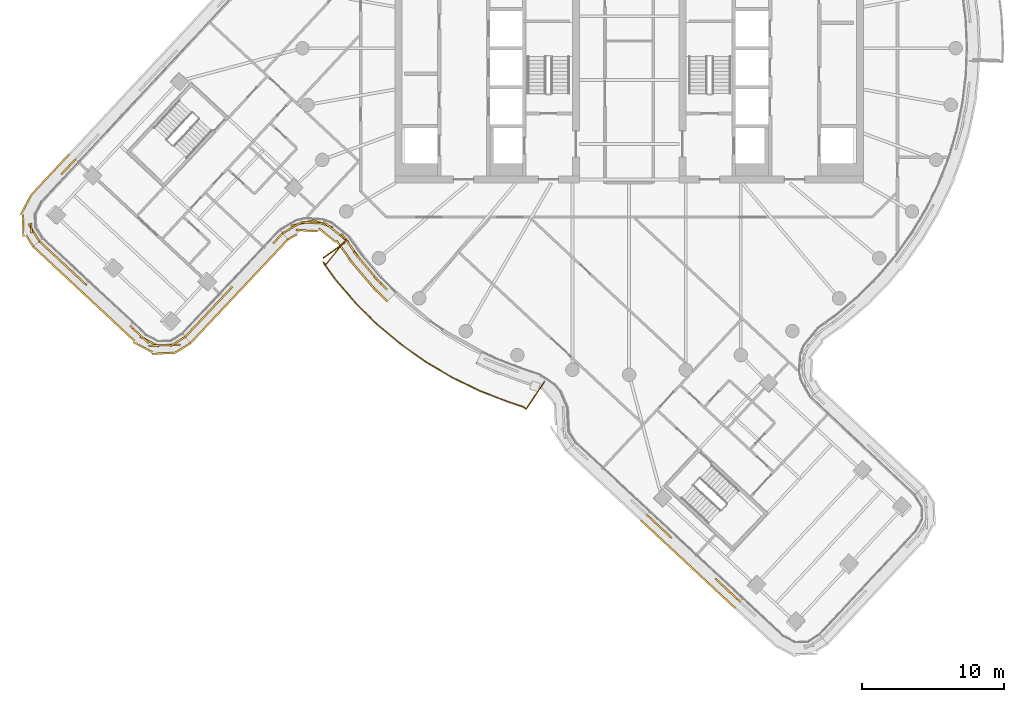
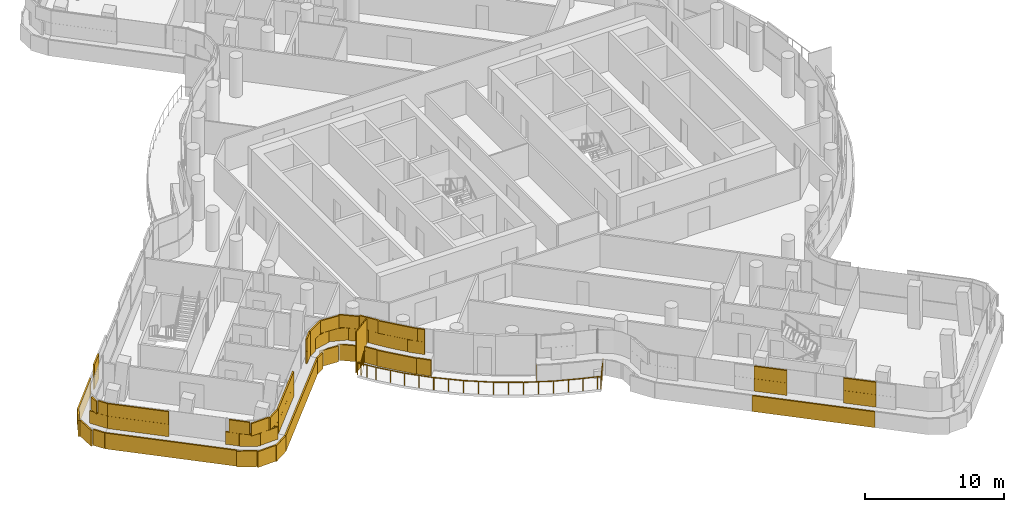
# One storey, part 23 of 30: 5 coverings, 1 railing, 1 shading device.
"""IFC4 building model written with IfcOpenShell, lengths in metres."""

from ifc_helpers import new_model, si_unit, direction, frame, origin, origin_2d, place, context, subcontext, project, spatial, rectangle, circle, extrude, material, layer, layer_set, type_object, element, save


model = new_model("IFC4")

# Units and contexts
model_context = context("Model", 3, precision=1e-05, world=origin(), true_north=direction((0.0, 1.0)))
body_context = subcontext(model_context, "Body", "Model", "MODEL_VIEW")
ifc_project = project(units=[si_unit("LENGTHUNIT", "METRE"), si_unit("AREAUNIT", "SQUARE_METRE"), si_unit("VOLUMEUNIT", "CUBIC_METRE"), si_unit("PLANEANGLEUNIT", "RADIAN"), si_unit("MASSUNIT", "GRAM", prefix="KILO")], contexts=[model_context])

# Site, building, storey
site_placement = place(None, origin())
site = spatial("IfcSite", under=ifc_project, at=site_placement, CompositionType="ELEMENT")
building_placement = place(site_placement, origin())
building = spatial("IfcBuilding", under=site, at=building_placement, Name="Tamarind Cross Interchange Tower", CompositionType="ELEMENT")
storey_placement = place(building_placement, frame((0.0, 0.0, 204.10009765625)))
storey = spatial("IfcBuildingStorey", under=building, at=storey_placement, Name="L51", CompositionType="ELEMENT", Elevation=204.10009765625)

# Railing
ifc_material_1 = material(Name="Stainless steel and laminated glass", Category="steel")
railing_type = type_object("IfcRailingType", Name="Balcony guard", PredefinedType="BALUSTRADE", material=ifc_material_1)
railing_placement = place(storey_placement, frame((-19.89599609375, -13.42431640625, 0.0)))
element("IfcRailing", 1, at=railing_placement, inside=storey, type_object=railing_type, Name="Balcony guard 02", PredefinedType="BALUSTRADE", context=body_context, shape_type="SweptSolid", body=[
    extrude(circle(Radius=0.02490234375, at=origin_2d()), frame((0.0, 0.0, 1.0751953125), z_axis=(-0.630822358792, -0.775927285026, 0.0), x_axis=(0.775927285026, -0.630822358792, 0.0)), (0.0, 0.0, 1.0), 2.320068359375),
    extrude(circle(Radius=0.02490234375, at=origin_2d()), frame((-1.463623046875, -1.80029296875, 1.0751953125), z_axis=(-0.775822381085, 0.630951371349, 0.0), x_axis=(-0.630951371349, -0.775822381085, 0.0)), (0.0, 0.0, 1.0), 0.256103515625),
    extrude(circle(Radius=0.02490234375, at=origin_2d()), frame((-1.662353515625, -1.638671875, 1.0751953125), z_axis=(0.585253979479, -0.810850035151, 0.0), x_axis=(0.810850035151, 0.585253979479, 0.0)), (0.0, 0.0, 1.0), 1.4697265625),
    extrude(circle(Radius=0.02490234375, at=origin_2d()), frame((-0.80224609375, -2.830322265625, 1.0751953125), z_axis=(0.649579168669, -0.760293958697, 0.0), x_axis=(0.760293958697, 0.649579168669, 0.0)), (0.0, 0.0, 1.0), 2.17431640625),
    extrude(circle(Radius=0.02490234375, at=origin_2d()), frame((0.610107421875, -4.4833984375, 1.0751953125), z_axis=(0.710130717242, -0.704069857635, 0.0), x_axis=(0.704069857635, 0.710130717242, 0.0)), (0.0, 0.0, 1.0), 2.17529296875),
    extrude(circle(Radius=0.02490234375, at=origin_2d()), frame((2.15478515625, -6.014892578125, 1.0751953125), z_axis=(0.765879503455, -0.642984125922, 0.0), x_axis=(0.642984125922, 0.765879503455, 0.0)), (0.0, 0.0, 1.0), 2.17529296875),
    extrude(circle(Radius=0.02490234375, at=origin_2d()), frame((3.82080078125, -7.41357421875, 1.0751953125), z_axis=(0.81632657602, -0.577590617379, 0.0), x_axis=(0.577590617379, 0.81632657602, 0.0)), (0.0, 0.0, 1.0), 2.175048828125),
    extrude(circle(Radius=0.02490234375, at=origin_2d()), frame((5.596435546875, -8.669921875, 1.0751953125), z_axis=(0.861223570169, -0.508226290333, 0.0), x_axis=(0.508226290333, 0.861223570169, 0.0)), (0.0, 0.0, 1.0), 2.175048828125),
    extrude(circle(Radius=0.02490234375, at=origin_2d()), frame((7.4697265625, -9.775390625, 1.0751953125), z_axis=(0.90029690694, -0.435276325285, 0.0), x_axis=(0.435276325285, 0.90029690694, 0.0)), (0.0, 0.0, 1.0), 2.175048828125),
    extrude(circle(Radius=0.02490234375, at=origin_2d()), frame((9.427978515625, -10.72216796875, 1.0751953125), z_axis=(0.933138887512, -0.359516086723, 0.0), x_axis=(0.359516086723, 0.933138887512, 0.0)), (0.0, 0.0, 1.0), 2.13232421875),
    extrude(circle(Radius=0.02490234375, at=origin_2d()), frame((11.417724609375, -11.48876953125, 1.0751953125), z_axis=(0.948591250985, -0.316503773365, 0.0), x_axis=(0.316503773365, 0.948591250985, 0.0)), (0.0, 0.0, 1.0), 1.061279296875),
    extrude(circle(Radius=0.02490234375, at=origin_2d()), frame((12.424560546875, -11.82470703125, 1.0751953125), z_axis=(0.834178606953, -0.551494380481, 0.0), x_axis=(0.551494380481, 0.834178606953, 0.0)), (0.0, 0.0, 1.0), 0.281494140625),
    extrude(circle(Radius=0.02490234375, at=origin_2d()), frame((12.659423828125, -11.97998046875, 1.0751953125), z_axis=(0.551636564718, 0.834084588316, 0.0), x_axis=(-0.834084588316, 0.551636564718, 0.0)), (0.0, 0.0, 1.0), 2.320068359375),
    extrude(circle(Radius=0.02001953125, at=origin_2d()), origin(), (0.0, 0.0, 1.0), 1.050048828125),
    extrude(circle(Radius=0.02001953125, at=origin_2d()), frame((-0.73193359375, -0.900146484375, 0.0)), (0.0, 0.0, 1.0), 1.050048828125),
    extrude(circle(Radius=0.02001953125, at=origin_2d()), frame((-1.463623046875, -1.80029296875, 0.0)), (0.0, 0.0, 1.0), 1.050048828125),
    extrude(circle(Radius=0.02001953125, at=origin_2d()), frame((-1.662353515625, -1.638671875, 0.0)), (0.0, 0.0, 1.0), 1.050048828125),
    extrude(circle(Radius=0.02001953125, at=origin_2d()), frame((-1.232421875, -2.234375, 0.0)), (0.0, 0.0, 1.0), 1.050048828125),
    extrude(circle(Radius=0.02001953125, at=origin_2d()), frame((-0.80224609375, -2.830322265625, 0.0)), (0.0, 0.0, 1.0), 1.050048828125),
    extrude(circle(Radius=0.02001953125, at=origin_2d()), frame((-0.09619140625, -3.65673828125, 0.0)), (0.0, 0.0, 1.0), 1.050048828125),
    extrude(circle(Radius=0.02001953125, at=origin_2d()), frame((0.610107421875, -4.4833984375, 0.0)), (0.0, 0.0, 1.0), 1.050048828125),
    extrude(circle(Radius=0.02001953125, at=origin_2d()), frame((1.38232421875, -5.2490234375, 0.0)), (0.0, 0.0, 1.0), 1.050048828125),
    extrude(circle(Radius=0.02001953125, at=origin_2d()), frame((2.15478515625, -6.014892578125, 0.0)), (0.0, 0.0, 1.0), 1.050048828125),
    extrude(circle(Radius=0.02001953125, at=origin_2d()), frame((2.98779296875, -6.71435546875, 0.0)), (0.0, 0.0, 1.0), 1.050048828125),
    extrude(circle(Radius=0.02001953125, at=origin_2d()), frame((3.82080078125, -7.41357421875, 0.0)), (0.0, 0.0, 1.0), 1.050048828125),
    extrude(circle(Radius=0.02001953125, at=origin_2d()), frame((4.70849609375, -8.041748046875, 0.0)), (0.0, 0.0, 1.0), 1.050048828125),
    extrude(circle(Radius=0.02001953125, at=origin_2d()), frame((5.596435546875, -8.669921875, 0.0)), (0.0, 0.0, 1.0), 1.050048828125),
    extrude(circle(Radius=0.02001953125, at=origin_2d()), frame((6.533203125, -9.22265625, 0.0)), (0.0, 0.0, 1.0), 1.050048828125),
    extrude(circle(Radius=0.02001953125, at=origin_2d()), frame((7.4697265625, -9.775390625, 0.0)), (0.0, 0.0, 1.0), 1.050048828125),
    extrude(circle(Radius=0.02001953125, at=origin_2d()), frame((8.44873046875, -10.248779296875, 0.0)), (0.0, 0.0, 1.0), 1.050048828125),
    extrude(circle(Radius=0.02001953125, at=origin_2d()), frame((9.427978515625, -10.72216796875, 0.0)), (0.0, 0.0, 1.0), 1.050048828125),
    extrude(circle(Radius=0.02001953125, at=origin_2d()), frame((10.4228515625, -11.10546875, 0.0)), (0.0, 0.0, 1.0), 1.050048828125),
    extrude(circle(Radius=0.02001953125, at=origin_2d()), frame((11.417724609375, -11.48876953125, 0.0)), (0.0, 0.0, 1.0), 1.050048828125),
    extrude(circle(Radius=0.02001953125, at=origin_2d()), frame((12.424560546875, -11.82470703125, 0.0)), (0.0, 0.0, 1.0), 1.050048828125),
    extrude(circle(Radius=0.02001953125, at=origin_2d()), frame((12.659423828125, -11.97998046875, 0.0)), (0.0, 0.0, 1.0), 1.050048828125),
    extrude(circle(Radius=0.02001953125, at=origin_2d()), frame((13.29931640625, -11.012451171875, 0.0)), (0.0, 0.0, 1.0), 1.050048828125),
    extrude(circle(Radius=0.02001953125, at=origin_2d()), frame((13.939208984375, -10.044921875, 0.0)), (0.0, 0.0, 1.0), 1.050048828125),
])

# Shading device
ifc_material_2 = material(Name="Bronze-finish aluminium louvre", Category="aluminium")
ifc_layer_1 = layer(ifc_material_2, 0.080078125)
ifc_layer_set_1 = layer_set([ifc_layer_1], Name="Bronze-finish aluminium louvre")
shading_device_type = type_object("IfcShadingDeviceType", Name="Operable louvre bay", PredefinedType="JALOUSIE", material=ifc_layer_set_1)
shading_device_placement = place(storey_placement, origin())
element("IfcShadingDevice", 2, at=shading_device_placement, inside=storey, type_object=shading_device_type, Name="LVR-L51-BAL02", PredefinedType="JALOUSIE", context=body_context, shape_type="SweptSolid", body=[
    extrude(rectangle(XDim=1.89990234375, YDim=0.080078125, at=origin_2d()), frame((-20.777587890625, -14.23095703125, -0.000244140625), z_axis=(0.0, 0.0, 1.0), x_axis=(-0.8108888363, -0.585200218014, 0.0)), (0.0, 0.0, 1.0), 3.60009765625),
])

# Coverings
ifc_material_3 = material(Name="Terracotta", Category="masonry")
ifc_layer_2 = layer(ifc_material_3, 0.1201171875)
ifc_layer_set_2 = layer_set([ifc_layer_2], Name="Terracotta")
covering_type = type_object("IfcCoveringType", Name="Terracotta baguette screen unit", PredefinedType="MOLDING", material=ifc_layer_set_2)
covering_1_placement = place(storey_placement, origin())
element("IfcCovering", 3, at=covering_1_placement, inside=storey, type_object=covering_type, Name="SCR-L51-00-00", PredefinedType="MOLDING", context=body_context, shape_type="SweptSolid", body=[
    extrude(rectangle(XDim=0.760009765625, YDim=0.1201171875, at=origin_2d()), frame((-41.2490234375, -13.8525390625, 1.40380859375), z_axis=(0.0, 0.0, 1.0), x_axis=(0.73154412297, -0.681794100992, 0.0)), (0.0, 0.0, 1.0), 1.092041015625),
    extrude(rectangle(XDim=1.52001953125, YDim=0.1201171875, at=origin_2d()), frame((-40.426025390625, -14.61962890625, 1.40380859375), z_axis=(0.0, 0.0, 1.0), x_axis=(0.73154412297, -0.681794100992, 0.0)), (0.0, 0.0, 1.0), 1.092041015625),
    extrude(rectangle(XDim=1.52001953125, YDim=0.1201171875, at=origin_2d()), frame((-39.32861328125, -15.642333984375, 1.40380859375), z_axis=(0.0, 0.0, 1.0), x_axis=(0.73154412297, -0.681794100992, 0.0)), (0.0, 0.0, 1.0), 1.092041015625),
    extrude(rectangle(XDim=0.78466796875, YDim=0.1201171875, at=origin_2d()), frame((-38.49658203125, -16.417724609375, 1.40380859375), z_axis=(0.0, 0.0, 1.0), x_axis=(0.73154412297, -0.681794100992, 0.0)), (0.0, 0.0, 1.0), 1.092041015625),
    extrude(rectangle(XDim=1.03515625, YDim=0.1201171875, at=origin_2d()), frame((-34.765869140625, -19.89501953125, 1.40380859375), z_axis=(0.0, 0.0, 1.0), x_axis=(0.73154412297, -0.681794100992, 0.0)), (0.0, 0.0, 1.0), 1.092041015625),
    extrude(rectangle(XDim=1.52001953125, YDim=0.1201171875, at=origin_2d()), frame((-33.77001953125, -20.654541015625, 1.40380859375), z_axis=(0.0, 0.0, 1.0), x_axis=(0.883078659622, -0.469224979002, 0.0)), (0.0, 0.0, 1.0), 1.092041015625),
    extrude(rectangle(XDim=1.52001953125, YDim=0.1201171875, at=origin_2d()), frame((-32.340087890625, -20.90185546875, 1.40380859375), z_axis=(0.0, 0.0, 1.0), x_axis=(0.999381042274, 0.035178577905, 0.0)), (0.0, 0.0, 1.0), 1.092041015625),
    extrude(rectangle(XDim=0.509521484375, YDim=0.1201171875, at=origin_2d()), frame((-31.46533203125, -20.460205078125, 1.40380859375), z_axis=(0.0, 0.0, 1.0), x_axis=(0.847900081717, 0.530156063272, 0.0)), (0.0, 0.0, 1.0), 1.092041015625),
    extrude(rectangle(XDim=1.510009765625, YDim=0.1201171875, at=origin_2d()), frame((-40.974609375, -14.1083984375, 2.50390625), z_axis=(0.0, 0.0, 1.0), x_axis=(0.73154412297, -0.681794100992, 0.0)), (0.0, 0.0, 1.0), 1.092041015625),
    extrude(rectangle(XDim=1.52001953125, YDim=0.1201171875, at=origin_2d()), frame((-39.87744140625, -15.131103515625, 2.50390625), z_axis=(0.0, 0.0, 1.0), x_axis=(0.73154412297, -0.681794100992, 0.0)), (0.0, 0.0, 1.0), 1.092041015625),
    extrude(rectangle(XDim=1.52001953125, YDim=0.1201171875, at=origin_2d()), frame((-38.780029296875, -16.15380859375, 2.50390625), z_axis=(0.0, 0.0, 1.0), x_axis=(0.73154412297, -0.681794100992, 0.0)), (0.0, 0.0, 1.0), 1.092041015625),
    extrude(rectangle(XDim=1.52001953125, YDim=0.1201171875, at=origin_2d()), frame((-34.390869140625, -20.244384765625, 2.50390625), z_axis=(0.0, 0.0, 1.0), x_axis=(0.73154412297, -0.681794100992, 0.0)), (0.0, 0.0, 1.0), 1.092041015625),
    extrude(rectangle(XDim=1.52001953125, YDim=0.1201171875, at=origin_2d()), frame((-33.089599609375, -20.92822265625, 2.50390625), z_axis=(0.0, 0.0, 1.0), x_axis=(0.999381042274, 0.035178577905, 0.0)), (0.0, 0.0, 1.0), 1.092041015625),
    extrude(rectangle(XDim=1.259521484375, YDim=0.1201171875, at=origin_2d()), frame((-31.783203125, -20.658935546875, 2.50390625), z_axis=(0.0, 0.0, 1.0), x_axis=(0.847900081717, 0.530156063272, 0.0)), (0.0, 0.0, 1.0), 1.092041015625),
    extrude(rectangle(XDim=0.760009765625, YDim=0.1201171875, at=origin_2d()), frame((-41.69189453125, -14.224365234375, 0.00390625), z_axis=(0.0, 0.0, 1.0), x_axis=(0.73154412297, -0.681794100992, 0.0)), (0.0, 0.0, 1.0), 1.39208984375),
    extrude(rectangle(XDim=1.52001953125, YDim=0.1201171875, at=origin_2d()), frame((-40.87255859375, -14.988037109375, 0.00390625), z_axis=(0.0, 0.0, 1.0), x_axis=(0.73154412297, -0.681794100992, 0.0)), (0.0, 0.0, 1.0), 1.39208984375),
    extrude(rectangle(XDim=1.52001953125, YDim=0.1201171875, at=origin_2d()), frame((-39.775390625, -16.0107421875, 0.00390625), z_axis=(0.0, 0.0, 1.0), x_axis=(0.73154412297, -0.681794100992, 0.0)), (0.0, 0.0, 1.0), 1.39208984375),
    extrude(rectangle(XDim=1.52001953125, YDim=0.1201171875, at=origin_2d()), frame((-38.677978515625, -17.033447265625, 0.00390625), z_axis=(0.0, 0.0, 1.0), x_axis=(0.73154412297, -0.681794100992, 0.0)), (0.0, 0.0, 1.0), 1.39208984375),
    extrude(rectangle(XDim=1.52001953125, YDim=0.1201171875, at=origin_2d()), frame((-37.580810546875, -18.05615234375, 0.00390625), z_axis=(0.0, 0.0, 1.0), x_axis=(0.73154412297, -0.681794100992, 0.0)), (0.0, 0.0, 1.0), 1.39208984375),
    extrude(rectangle(XDim=1.52001953125, YDim=0.1201171875, at=origin_2d()), frame((-36.4833984375, -19.078857421875, 0.00390625), z_axis=(0.0, 0.0, 1.0), x_axis=(0.73154412297, -0.681794100992, 0.0)), (0.0, 0.0, 1.0), 1.39208984375),
    extrude(rectangle(XDim=1.52001953125, YDim=0.1201171875, at=origin_2d()), frame((-35.385986328125, -20.1015625, 0.00390625), z_axis=(0.0, 0.0, 1.0), x_axis=(0.73154412297, -0.681794100992, 0.0)), (0.0, 0.0, 1.0), 1.39208984375),
    extrude(rectangle(XDim=1.52001953125, YDim=0.1201171875, at=origin_2d()), frame((-34.239501953125, -21.05517578125, 0.00390625), z_axis=(0.0, 0.0, 1.0), x_axis=(0.883078659622, -0.469224979002, 0.0)), (0.0, 0.0, 1.0), 1.39208984375),
    extrude(rectangle(XDim=1.52001953125, YDim=0.1201171875, at=origin_2d()), frame((-32.853759765625, -21.494384765625, 0.00390625), z_axis=(0.0, 0.0, 1.0), x_axis=(0.999381042274, 0.035178577905, 0.0)), (0.0, 0.0, 1.0), 1.39208984375),
    extrude(rectangle(XDim=1.42578125, YDim=0.1201171875, at=origin_2d()), frame((-31.49072265625, -21.153076171875, 0.00390625), z_axis=(0.0, 0.0, 1.0), x_axis=(0.847900081717, 0.530156063272, 0.0)), (0.0, 0.0, 1.0), 1.39208984375),
])
covering_2_placement = place(storey_placement, origin())
element("IfcCovering", 4, at=covering_2_placement, inside=storey, type_object=covering_type, Name="SCR-L51-01-00", PredefinedType="MOLDING", context=body_context, shape_type="SweptSolid", body=[
    extrude(rectangle(XDim=0.760009765625, YDim=0.1201171875, at=origin_2d()), frame((-30.996826171875, -20.054443359375, 1.40380859375), z_axis=(0.0, 0.0, 1.0), x_axis=(0.684930246732, 0.728608644687, 0.0)), (0.0, 0.0, 1.0), 1.092041015625),
    extrude(rectangle(XDim=1.52001953125, YDim=0.1201171875, at=origin_2d()), frame((-30.22607421875, -19.23486328125, 1.40380859375), z_axis=(0.0, 0.0, 1.0), x_axis=(0.684930246732, 0.728608644687, 0.0)), (0.0, 0.0, 1.0), 1.092041015625),
    extrude(rectangle(XDim=1.52001953125, YDim=0.1201171875, at=origin_2d()), frame((-29.19873046875, -18.141845703125, 1.40380859375), z_axis=(0.0, 0.0, 1.0), x_axis=(0.684930246732, 0.728608644687, 0.0)), (0.0, 0.0, 1.0), 1.092041015625),
    extrude(rectangle(XDim=1.100830078125, YDim=0.1201171875, at=origin_2d()), frame((-28.3115234375, -17.197998046875, 1.40380859375), z_axis=(0.0, 0.0, 1.0), x_axis=(0.684930246732, 0.728608644687, 0.0)), (0.0, 0.0, 1.0), 1.092041015625),
    extrude(rectangle(XDim=0.71923828125, YDim=0.1201171875, at=origin_2d()), frame((-24.818359375, -13.482177734375, 1.40380859375), z_axis=(0.0, 0.0, 1.0), x_axis=(0.684930246732, 0.728608644687, 0.0)), (0.0, 0.0, 1.0), 1.092041015625),
    extrude(rectangle(XDim=0.274658203125, YDim=0.1201171875, at=origin_2d()), frame((-24.48486328125, -13.12744140625, 1.40380859375), z_axis=(0.0, 0.0, 1.0), x_axis=(0.684930246732, 0.728608644687, 0.0)), (0.0, 0.0, 1.0), 1.092041015625),
    extrude(rectangle(XDim=1.510009765625, YDim=0.1201171875, at=origin_2d()), frame((-30.739990234375, -19.78125, 2.50390625), z_axis=(0.0, 0.0, 1.0), x_axis=(0.684930246732, 0.728608644687, 0.0)), (0.0, 0.0, 1.0), 1.092041015625),
    extrude(rectangle(XDim=1.52001953125, YDim=0.1201171875, at=origin_2d()), frame((-29.71240234375, -18.6884765625, 2.50390625), z_axis=(0.0, 0.0, 1.0), x_axis=(0.684930246732, 0.728608644687, 0.0)), (0.0, 0.0, 1.0), 1.092041015625),
    extrude(rectangle(XDim=1.52001953125, YDim=0.1201171875, at=origin_2d()), frame((-28.68505859375, -17.595458984375, 2.50390625), z_axis=(0.0, 0.0, 1.0), x_axis=(0.684930246732, 0.728608644687, 0.0)), (0.0, 0.0, 1.0), 1.092041015625),
    extrude(rectangle(XDim=0.350830078125, YDim=0.1201171875, at=origin_2d()), frame((-28.0546875, -16.9248046875, 2.50390625), z_axis=(0.0, 0.0, 1.0), x_axis=(0.684930246732, 0.728608644687, 0.0)), (0.0, 0.0, 1.0), 1.092041015625),
    extrude(rectangle(XDim=0.973876953125, YDim=0.1201171875, at=origin_2d()), frame((-24.727783203125, -13.3857421875, 2.50390625), z_axis=(0.0, 0.0, 1.0), x_axis=(0.684930246732, 0.728608644687, 0.0)), (0.0, 0.0, 1.0), 1.092041015625),
    extrude(rectangle(XDim=0.760009765625, YDim=0.1201171875, at=origin_2d()), frame((-30.6259765625, -20.498291015625, 0.00390625), z_axis=(0.0, 0.0, 1.0), x_axis=(0.684930246732, 0.728608644687, 0.0)), (0.0, 0.0, 1.0), 1.39208984375),
    extrude(rectangle(XDim=1.52001953125, YDim=0.1201171875, at=origin_2d()), frame((-29.85888671875, -19.68212890625, 0.00390625), z_axis=(0.0, 0.0, 1.0), x_axis=(0.684930246732, 0.728608644687, 0.0)), (0.0, 0.0, 1.0), 1.39208984375),
    extrude(rectangle(XDim=1.52001953125, YDim=0.1201171875, at=origin_2d()), frame((-28.83154296875, -18.58935546875, 0.00390625), z_axis=(0.0, 0.0, 1.0), x_axis=(0.684930246732, 0.728608644687, 0.0)), (0.0, 0.0, 1.0), 1.39208984375),
    extrude(rectangle(XDim=1.52001953125, YDim=0.1201171875, at=origin_2d()), frame((-27.80419921875, -17.496337890625, 0.00390625), z_axis=(0.0, 0.0, 1.0), x_axis=(0.684930246732, 0.728608644687, 0.0)), (0.0, 0.0, 1.0), 1.39208984375),
    extrude(rectangle(XDim=1.52001953125, YDim=0.1201171875, at=origin_2d()), frame((-26.776611328125, -16.4033203125, 0.00390625), z_axis=(0.0, 0.0, 1.0), x_axis=(0.684930246732, 0.728608644687, 0.0)), (0.0, 0.0, 1.0), 1.39208984375),
    extrude(rectangle(XDim=1.52001953125, YDim=0.1201171875, at=origin_2d()), frame((-25.749267578125, -15.310546875, 0.00390625), z_axis=(0.0, 0.0, 1.0), x_axis=(0.684930246732, 0.728608644687, 0.0)), (0.0, 0.0, 1.0), 1.39208984375),
    extrude(rectangle(XDim=1.52001953125, YDim=0.1201171875, at=origin_2d()), frame((-24.721923828125, -14.217529296875, 0.00390625), z_axis=(0.0, 0.0, 1.0), x_axis=(0.684930246732, 0.728608644687, 0.0)), (0.0, 0.0, 1.0), 1.39208984375),
    extrude(rectangle(XDim=0.264892578125, YDim=0.1201171875, at=origin_2d()), frame((-24.124267578125, -13.58203125, 0.00390625), z_axis=(0.0, 0.0, 1.0), x_axis=(0.684930246732, 0.728608644687, 0.0)), (0.0, 0.0, 1.0), 1.39208984375),
])
covering_3_placement = place(storey_placement, origin())
element("IfcCovering", 5, at=covering_3_placement, inside=storey, type_object=covering_type, Name="SCR-L51-02-00", PredefinedType="MOLDING", context=body_context, shape_type="SweptSolid", body=[
    extrude(rectangle(XDim=0.760009765625, YDim=0.1201171875, at=origin_2d()), frame((-24.06982421875, -12.843017578125, 1.40380859375), z_axis=(0.0, 0.0, 1.0), x_axis=(0.865142206721, 0.501526631545, 0.0)), (0.0, 0.0, 1.0), 1.092041015625),
    extrude(rectangle(XDim=1.52001953125, YDim=0.1201171875, at=origin_2d()), frame((-23.072021484375, -12.340576171875, 1.40380859375), z_axis=(0.0, 0.0, 1.0), x_axis=(0.973634251365, 0.22811476184, 0.0)), (0.0, 0.0, 1.0), 1.092041015625),
    extrude(rectangle(XDim=1.52001953125, YDim=0.1201171875, at=origin_2d()), frame((-21.58642578125, -12.362548828125, 1.40380859375), z_axis=(0.0, 0.0, 1.0), x_axis=(0.935790360192, -0.352556948267, 0.0)), (0.0, 0.0, 1.0), 1.092041015625),
    extrude(rectangle(XDim=1.52001953125, YDim=0.1201171875, at=origin_2d()), frame((-20.345703125, -13.1748046875, 1.40380859375), z_axis=(0.0, 0.0, 1.0), x_axis=(0.775947520862, -0.630797467392, 0.0)), (0.0, 0.0, 1.0), 1.092041015625),
    extrude(rectangle(XDim=1.52001953125, YDim=0.1201171875, at=origin_2d()), frame((-19.36376953125, -14.29296875, 1.40380859375), z_axis=(0.0, 0.0, 1.0), x_axis=(0.585200218014, -0.8108888363, 0.0)), (0.0, 0.0, 1.0), 1.092041015625),
    extrude(rectangle(XDim=1.52001953125, YDim=0.1201171875, at=origin_2d()), frame((-18.435791015625, -15.4697265625, 1.40380859375), z_axis=(0.0, 0.0, 1.0), x_axis=(0.64957723968, -0.760295606781, 0.0)), (0.0, 0.0, 1.0), 1.092041015625),
    extrude(rectangle(XDim=1.30126953125, YDim=0.1201171875, at=origin_2d()), frame((-17.517822265625, -16.5205078125, 1.40380859375), z_axis=(0.0, 0.0, 1.0), x_axis=(0.710143317658, -0.704057148523, 0.0)), (0.0, 0.0, 1.0), 1.092041015625),
    extrude(rectangle(XDim=1.510009765625, YDim=0.1201171875, at=origin_2d()), frame((-23.745361328125, -12.65478515625, 2.50390625), z_axis=(0.0, 0.0, 1.0), x_axis=(0.865142206721, 0.501526631545, 0.0)), (0.0, 0.0, 1.0), 1.092041015625),
    extrude(rectangle(XDim=1.52001953125, YDim=0.1201171875, at=origin_2d()), frame((-22.331298828125, -12.296630859375, 2.50390625), z_axis=(0.0, 0.0, 1.0), x_axis=(0.997883006938, -0.065034640495, 0.0)), (0.0, 0.0, 1.0), 1.092041015625),
    extrude(rectangle(XDim=1.52001953125, YDim=0.1201171875, at=origin_2d()), frame((-20.927734375, -12.70166015625, 2.50390625), z_axis=(0.0, 0.0, 1.0), x_axis=(0.775947520862, -0.630797467392, 0.0)), (0.0, 0.0, 1.0), 1.092041015625),
    extrude(rectangle(XDim=1.52001953125, YDim=0.1201171875, at=origin_2d()), frame((-19.802734375, -13.684814453125, 2.50390625), z_axis=(0.0, 0.0, 1.0), x_axis=(0.585200218014, -0.8108888363, 0.0)), (0.0, 0.0, 1.0), 1.092041015625),
    extrude(rectangle(XDim=1.52001953125, YDim=0.1201171875, at=origin_2d()), frame((-18.9228515625, -14.899658203125, 2.50390625), z_axis=(0.0, 0.0, 1.0), x_axis=(0.64957723968, -0.760295606781, 0.0)), (0.0, 0.0, 1.0), 1.092041015625),
    extrude(rectangle(XDim=1.52001953125, YDim=0.1201171875, at=origin_2d()), frame((-17.948486328125, -16.0400390625, 2.50390625), z_axis=(0.0, 0.0, 1.0), x_axis=(0.64957723968, -0.760295606781, 0.0)), (0.0, 0.0, 1.0), 1.092041015625),
    extrude(rectangle(XDim=0.55126953125, YDim=0.1201171875, at=origin_2d()), frame((-17.251708984375, -16.784423828125, 2.50390625), z_axis=(0.0, 0.0, 1.0), x_axis=(0.710143317658, -0.704057148523, 0.0)), (0.0, 0.0, 1.0), 1.092041015625),
    extrude(rectangle(XDim=0.760009765625, YDim=0.1201171875, at=origin_2d()), frame((-23.704833984375, -13.294921875, 0.00390625), z_axis=(0.0, 0.0, 1.0), x_axis=(0.865142206721, 0.501526631545, 0.0)), (0.0, 0.0, 1.0), 1.39208984375),
    extrude(rectangle(XDim=1.52001953125, YDim=0.1201171875, at=origin_2d()), frame((-22.6923828125, -12.848388671875, 0.00390625), z_axis=(0.0, 0.0, 1.0), x_axis=(0.997883006938, -0.065034640495, 0.0)), (0.0, 0.0, 1.0), 1.39208984375),
    extrude(rectangle(XDim=1.52001953125, YDim=0.1201171875, at=origin_2d()), frame((-21.26416015625, -13.167724609375, 0.00390625), z_axis=(0.0, 0.0, 1.0), x_axis=(0.775947520862, -0.630797467392, 0.0)), (0.0, 0.0, 1.0), 1.39208984375),
    extrude(rectangle(XDim=1.52001953125, YDim=0.1201171875, at=origin_2d()), frame((-20.16015625, -14.17041015625, 0.00390625), z_axis=(0.0, 0.0, 1.0), x_axis=(0.585200218014, -0.8108888363, 0.0)), (0.0, 0.0, 1.0), 1.39208984375),
    extrude(rectangle(XDim=1.52001953125, YDim=0.1201171875, at=origin_2d()), frame((-19.27001953125, -15.376953125, 0.00390625), z_axis=(0.0, 0.0, 1.0), x_axis=(0.64957723968, -0.760295606781, 0.0)), (0.0, 0.0, 1.0), 1.39208984375),
    extrude(rectangle(XDim=1.52001953125, YDim=0.1201171875, at=origin_2d()), frame((-18.295654296875, -16.517578125, 0.00390625), z_axis=(0.0, 0.0, 1.0), x_axis=(0.64957723968, -0.760295606781, 0.0)), (0.0, 0.0, 1.0), 1.39208984375),
    extrude(rectangle(XDim=1.094482421875, YDim=0.1201171875, at=origin_2d()), frame((-17.40234375, -17.443115234375, 0.00390625), z_axis=(0.0, 0.0, 1.0), x_axis=(0.710143317658, -0.704057148523, 0.0)), (0.0, 0.0, 1.0), 1.39208984375),
    extrude(rectangle(XDim=0.03076171875, YDim=0.1201171875, at=origin_2d()), frame((-10.745849609375, -22.172607421875, 0.00390625), z_axis=(0.0, 0.0, 1.0), x_axis=(0.900272776334, -0.435326231914, 0.0)), (0.0, 0.0, 1.0), 1.39208984375),
])
covering_4_placement = place(storey_placement, origin())
element("IfcCovering", 6, at=covering_4_placement, inside=storey, type_object=covering_type, Name="SCR-L51-03-01", PredefinedType="MOLDING", context=body_context, shape_type="SweptSolid", body=[
    extrude(rectangle(XDim=1.10888671875, YDim=0.1201171875, at=origin_2d()), frame((1.637451171875, -33.218017578125, 1.40380859375), z_axis=(0.0, 0.0, 1.0), x_axis=(0.73154412297, -0.681794100992, 0.0)), (0.0, 0.0, 1.0), 1.092041015625),
    extrude(rectangle(XDim=1.31640625, YDim=0.1201171875, at=origin_2d()), frame((2.517333984375, -34.037841796875, 1.40380859375), z_axis=(0.0, 0.0, 1.0), x_axis=(0.73154412297, -0.681794100992, 0.0)), (0.0, 0.0, 1.0), 1.092041015625),
    extrude(rectangle(XDim=0.50341796875, YDim=0.1201171875, at=origin_2d()), frame((6.248046875, -37.51513671875, 1.40380859375), z_axis=(0.0, 0.0, 1.0), x_axis=(0.73154412297, -0.681794100992, 0.0)), (0.0, 0.0, 1.0), 1.092041015625),
    extrude(rectangle(XDim=1.52001953125, YDim=0.1201171875, at=origin_2d()), frame((6.977294921875, -38.194580078125, 1.40380859375), z_axis=(0.0, 0.0, 1.0), x_axis=(0.73154412297, -0.681794100992, 0.0)), (0.0, 0.0, 1.0), 1.092041015625),
    extrude(rectangle(XDim=0.421630859375, YDim=0.1201171875, at=origin_2d()), frame((7.676513671875, -38.846435546875, 1.40380859375), z_axis=(0.0, 0.0, 1.0), x_axis=(0.73154412297, -0.681794100992, 0.0)), (0.0, 0.0, 1.0), 1.092041015625),
    extrude(rectangle(XDim=0.35888671875, YDim=0.1201171875, at=origin_2d()), frame((1.36328125, -32.96240234375, 2.50390625), z_axis=(0.0, 0.0, 1.0), x_axis=(0.73154412297, -0.681794100992, 0.0)), (0.0, 0.0, 1.0), 1.092041015625),
    extrude(rectangle(XDim=1.52001953125, YDim=0.1201171875, at=origin_2d()), frame((2.039306640625, -33.592529296875, 2.50390625), z_axis=(0.0, 0.0, 1.0), x_axis=(0.73154412297, -0.681794100992, 0.0)), (0.0, 0.0, 1.0), 1.092041015625),
    extrude(rectangle(XDim=0.56640625, YDim=0.1201171875, at=origin_2d()), frame((2.79150390625, -34.293701171875, 2.50390625), z_axis=(0.0, 0.0, 1.0), x_axis=(0.73154412297, -0.681794100992, 0.0)), (0.0, 0.0, 1.0), 1.092041015625),
    extrude(rectangle(XDim=1.25341796875, YDim=0.1201171875, at=origin_2d()), frame((6.5224609375, -37.770751953125, 2.50390625), z_axis=(0.0, 0.0, 1.0), x_axis=(0.73154412297, -0.681794100992, 0.0)), (0.0, 0.0, 1.0), 1.092041015625),
    extrude(rectangle(XDim=1.171630859375, YDim=0.1201171875, at=origin_2d()), frame((7.40234375, -38.590576171875, 2.50390625), z_axis=(0.0, 0.0, 1.0), x_axis=(0.73154412297, -0.681794100992, 0.0)), (0.0, 0.0, 1.0), 1.092041015625),
    extrude(rectangle(XDim=1.0556640625, YDim=0.1201171875, at=origin_2d()), frame((1.2158203125, -33.609619140625, 0.00390625), z_axis=(0.0, 0.0, 1.0), x_axis=(0.73154412297, -0.681794100992, 0.0)), (0.0, 0.0, 1.0), 1.39208984375),
    extrude(rectangle(XDim=1.52001953125, YDim=0.1201171875, at=origin_2d()), frame((2.143310546875, -34.473876953125, 0.00390625), z_axis=(0.0, 0.0, 1.0), x_axis=(0.73154412297, -0.681794100992, 0.0)), (0.0, 0.0, 1.0), 1.39208984375),
    extrude(rectangle(XDim=1.52001953125, YDim=0.1201171875, at=origin_2d()), frame((3.240478515625, -35.49658203125, 0.00390625), z_axis=(0.0, 0.0, 1.0), x_axis=(0.73154412297, -0.681794100992, 0.0)), (0.0, 0.0, 1.0), 1.39208984375),
    extrude(rectangle(XDim=1.52001953125, YDim=0.1201171875, at=origin_2d()), frame((4.337890625, -36.519287109375, 0.00390625), z_axis=(0.0, 0.0, 1.0), x_axis=(0.73154412297, -0.681794100992, 0.0)), (0.0, 0.0, 1.0), 1.39208984375),
    extrude(rectangle(XDim=1.52001953125, YDim=0.1201171875, at=origin_2d()), frame((5.43505859375, -37.5419921875, 0.00390625), z_axis=(0.0, 0.0, 1.0), x_axis=(0.73154412297, -0.681794100992, 0.0)), (0.0, 0.0, 1.0), 1.39208984375),
    extrude(rectangle(XDim=1.52001953125, YDim=0.1201171875, at=origin_2d()), frame((6.532470703125, -38.564697265625, 0.00390625), z_axis=(0.0, 0.0, 1.0), x_axis=(0.73154412297, -0.681794100992, 0.0)), (0.0, 0.0, 1.0), 1.39208984375),
    extrude(rectangle(XDim=0.541748046875, YDim=0.1201171875, at=origin_2d()), frame((7.27197265625, -39.25390625, 0.00390625), z_axis=(0.0, 0.0, 1.0), x_axis=(0.73154412297, -0.681794100992, 0.0)), (0.0, 0.0, 1.0), 1.39208984375),
])
covering_5_placement = place(storey_placement, origin())
element("IfcCovering", 7, at=covering_5_placement, inside=storey, type_object=covering_type, Name="SCR-L51-11-02", PredefinedType="MOLDING", context=body_context, shape_type="SweptSolid", body=[
    extrude(rectangle(XDim=1.098388671875, YDim=0.1201171875, at=origin_2d()), frame((-39.357666015625, -8.225341796875, 1.40380859375), z_axis=(0.0, 0.0, 1.0), x_axis=(-0.681794100992, -0.73154412297, 0.0)), (0.0, 0.0, 1.0), 1.092041015625),
    extrude(rectangle(XDim=0.370849609375, YDim=0.1201171875, at=origin_2d()), frame((-39.851806640625, -8.75537109375, 1.40380859375), z_axis=(0.0, 0.0, 1.0), x_axis=(-0.681794100992, -0.73154412297, 0.0)), (0.0, 0.0, 1.0), 1.092041015625),
    extrude(rectangle(XDim=1.44921875, YDim=0.1201171875, at=origin_2d()), frame((-41.91015625, -12.978515625, 1.40380859375), z_axis=(0.0, 0.0, 1.0), x_axis=(0.530156063272, -0.847900081717, 0.0)), (0.0, 0.0, 1.0), 1.092041015625),
    extrude(rectangle(XDim=0.348388671875, YDim=0.1201171875, at=origin_2d()), frame((-39.10205078125, -7.950927734375, 2.50390625), z_axis=(0.0, 0.0, 1.0), x_axis=(-0.681794100992, -0.73154412297, 0.0)), (0.0, 0.0, 1.0), 1.092041015625),
    extrude(rectangle(XDim=1.120849609375, YDim=0.1201171875, at=origin_2d()), frame((-39.595947265625, -8.48095703125, 2.50390625), z_axis=(0.0, 0.0, 1.0), x_axis=(-0.681794100992, -0.73154412297, 0.0)), (0.0, 0.0, 1.0), 1.092041015625),
    extrude(rectangle(XDim=0.69921875, YDim=0.1201171875, at=origin_2d()), frame((-42.092529296875, -12.655517578125, 2.50390625), z_axis=(0.0, 0.0, 1.0), x_axis=(0.035178577905, -0.999381042274, 0.0)), (0.0, 0.0, 1.0), 1.092041015625),
    extrude(rectangle(XDim=0.769775390625, YDim=0.1201171875, at=origin_2d()), frame((-41.724853515625, -13.27490234375, 2.50390625), z_axis=(0.0, 0.0, 1.0), x_axis=(0.530156063272, -0.847900081717, 0.0)), (0.0, 0.0, 1.0), 1.092041015625),
    extrude(rectangle(XDim=0.978271484375, YDim=0.1201171875, at=origin_2d()), frame((-39.77197265625, -7.827880859375, 0.00390625), z_axis=(0.0, 0.0, 1.0), x_axis=(-0.681794100992, -0.73154412297, 0.0)), (0.0, 0.0, 1.0), 1.39208984375),
    extrude(rectangle(XDim=1.52001953125, YDim=0.1201171875, at=origin_2d()), frame((-40.610107421875, -8.72705078125, 0.00390625), z_axis=(0.0, 0.0, 1.0), x_axis=(-0.681794100992, -0.73154412297, 0.0)), (0.0, 0.0, 1.0), 1.39208984375),
    extrude(rectangle(XDim=1.52001953125, YDim=0.1201171875, at=origin_2d()), frame((-41.6328125, -9.824462890625, 0.00390625), z_axis=(0.0, 0.0, 1.0), x_axis=(-0.681794100992, -0.73154412297, 0.0)), (0.0, 0.0, 1.0), 1.39208984375),
    extrude(rectangle(XDim=1.52001953125, YDim=0.1201171875, at=origin_2d()), frame((-42.481689453125, -11.045654296875, 0.00390625), z_axis=(0.0, 0.0, 1.0), x_axis=(-0.469224979002, -0.883078659622, 0.0)), (0.0, 0.0, 1.0), 1.39208984375),
    extrude(rectangle(XDim=1.52001953125, YDim=0.1201171875, at=origin_2d()), frame((-42.672607421875, -12.488525390625, 0.00390625), z_axis=(0.0, 0.0, 1.0), x_axis=(0.035178577905, -0.999381042274, 0.0)), (0.0, 0.0, 1.0), 1.39208984375),
    extrude(rectangle(XDim=0.934814453125, YDim=0.1201171875, at=origin_2d()), frame((-42.2177734375, -13.569091796875, 0.00390625), z_axis=(0.0, 0.0, 1.0), x_axis=(0.530156063272, -0.847900081717, 0.0)), (0.0, 0.0, 1.0), 1.39208984375),
])

save(model, "model.ifc")
